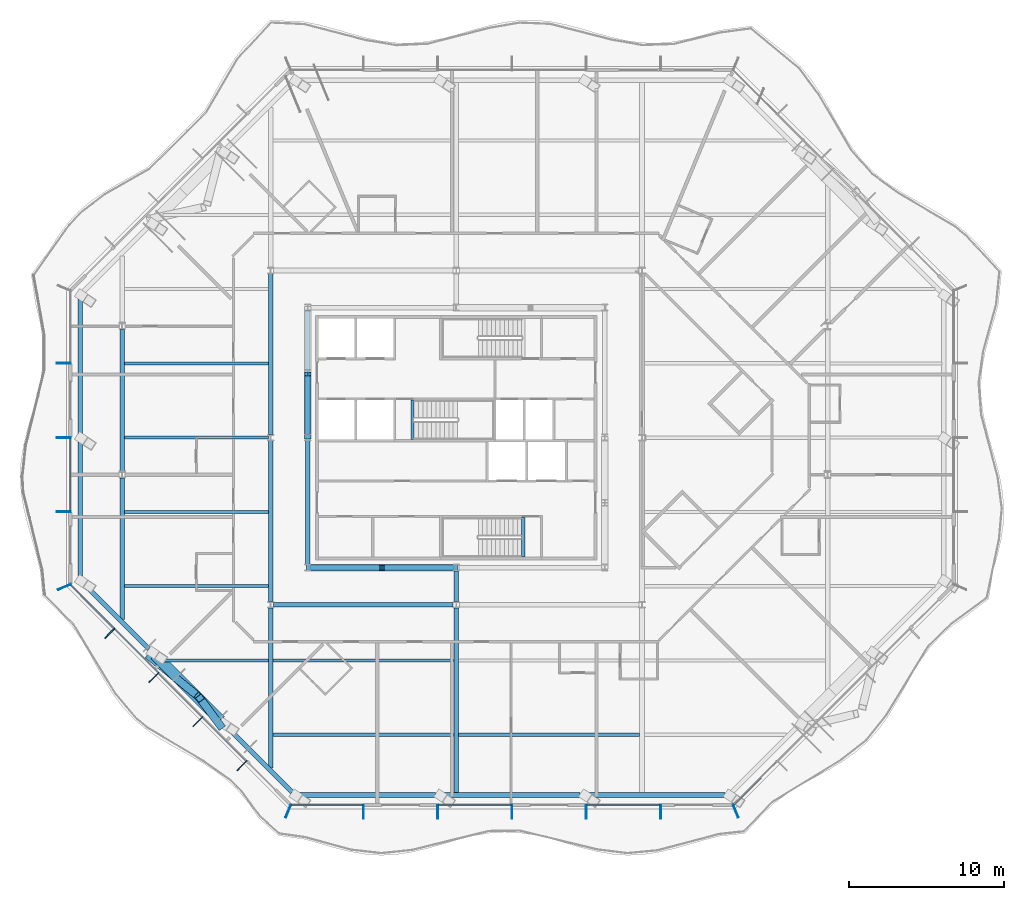
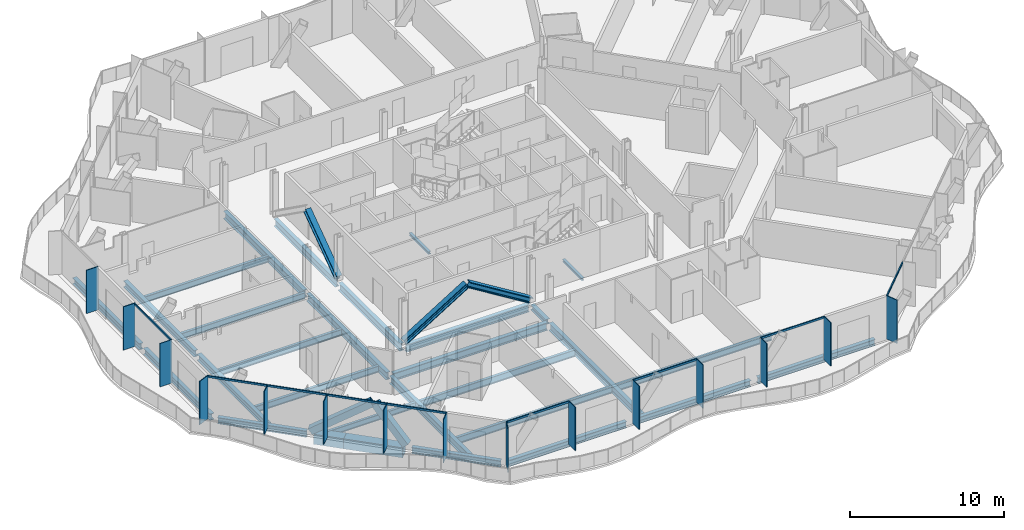
# One storey, part 3 of 19: 30 beams, 29 members, 4 elements without a shape of their own.
"""IFC4 building model written with IfcOpenShell, lengths in metres."""

from ifc_helpers import new_model, si_unit, direction, frame, origin, origin_2d, place, context, subcontext, project, spatial, rectangle, hollow_rectangle, i_section, extrude, material, material_profile, profile_set, type_object, element, aggregate, save


model = new_model("IFC4")

# Units and contexts
model_context = context("Model", 3, precision=1e-05, world=origin(), true_north=direction((0.0, 1.0)))
body_context = subcontext(model_context, "Body", "Model", "MODEL_VIEW")
ifc_project = project(units=[si_unit("LENGTHUNIT", "METRE"), si_unit("AREAUNIT", "SQUARE_METRE"), si_unit("VOLUMEUNIT", "CUBIC_METRE"), si_unit("PLANEANGLEUNIT", "RADIAN"), si_unit("MASSUNIT", "GRAM", prefix="KILO")], contexts=[model_context])

# Site, building, storey
site_placement = place(None, origin())
site = spatial("IfcSite", under=ifc_project, at=site_placement, CompositionType="ELEMENT")
building_placement = place(site_placement, origin())
building = spatial("IfcBuilding", under=site, at=building_placement, Name="Cairn Pilgrim Tower", CompositionType="ELEMENT")
storey_placement = place(building_placement, frame((0.0, 0.0, 186.60009765625)))
storey = spatial("IfcBuildingStorey", under=building, at=storey_placement, Name="L47", CompositionType="ELEMENT", Elevation=186.60009765625)

# Members
ifc_material_1 = material(Name="Structural steel S460M", Category="steel")
ifc_material_profile_1 = material_profile(ifc_material_1, hollow_rectangle(XDim=0.5, YDim=0.5, WallThickness=0.030029296875, at=origin_2d()), Name="BOX 500x500x30")
ifc_profile_set_1 = profile_set([ifc_material_profile_1], Name="Structural steel S460M")
member_type_1 = type_object("IfcMemberType", Name="BOX 500x500x30 BRACE", PredefinedType="BRACE", material=ifc_profile_set_1)
member_1_placement = place(storey_placement, frame((-12.656005859375, -11.716552734375, 0.14990234375), z_axis=(0.6457323247, -0.530399608095, 0.549277726265), x_axis=(0.634722722117, 0.772739973101, 0.0)))
element("IfcMember", 1, at=member_1_placement, inside=storey, type_object=member_type_1, Name="XB-SW2-SW3-1", PredefinedType="BRACE", context=body_context, shape_type="SweptSolid", body=[
    extrude(hollow_rectangle(XDim=0.5, YDim=0.5, WallThickness=0.030029296875, at=origin_2d()), origin(), (0.0, 0.0, 1.0), 4.849609375),
])
member_2_placement = place(storey_placement, frame((-8.03759765625, -16.227294921875, 0.123779296875), z_axis=(-0.3815361717, 0.510882317503, 0.7703436943), x_axis=(-0.801222044652, -0.598367140778, 0.0)))
element("IfcMember", 2, at=member_2_placement, inside=storey, type_object=member_type_1, Name="XB-SW2-SW3-2", PredefinedType="BRACE", context=body_context, shape_type="SweptSolid", body=[
    extrude(hollow_rectangle(XDim=0.5, YDim=0.5, WallThickness=0.030029296875, at=origin_2d()), origin(), (0.0, 0.0, 1.0), 3.491943359375),
])

# Beams
ifc_material_2 = material(Name="Structural steel S355J2", Category="steel")
ifc_material_profile_2 = material_profile(ifc_material_2, hollow_rectangle(XDim=0.699951171875, YDim=0.800048828125, WallThickness=0.0400390625, at=origin_2d()), Name="BOX 700x800x40")
ifc_profile_set_2 = profile_set([ifc_material_profile_2], Name="Structural steel S355J2")
beam_type_1 = type_object("IfcBeamType", Name="BOX 700x800x40 RING GIRDER", PredefinedType="SPANDREL", material=ifc_profile_set_2)
beam_1_placement = place(storey_placement, frame((-12.284912109375, -11.642333984375, -0.550048828125), z_axis=(0.707106781187, -0.707106781187, 0.0), x_axis=(0.707106781187, 0.707106781187, 0.0)))
element("IfcBeam", 3, at=beam_1_placement, inside=storey, type_object=beam_type_1, Name="RG2-SW2-SW3-1", PredefinedType="SPANDREL", context=body_context, shape_type="SweptSolid", body=[
    extrude(hollow_rectangle(XDim=0.699951171875, YDim=0.800048828125, WallThickness=0.0400390625, at=origin_2d()), origin(), (0.0, 0.0, 1.0), 2.01904296875),
])
beam_2_placement = place(storey_placement, frame((-10.857177734375, -13.070068359375, -0.550048828125), z_axis=(0.707106781187, -0.707106781187, 0.0), x_axis=(0.707106781187, 0.707106781187, 0.0)))
element("IfcBeam", 4, at=beam_2_placement, inside=storey, type_object=beam_type_1, Name="RG2-SW2-SW3-2", PredefinedType="SPANDREL", context=body_context, shape_type="SweptSolid", body=[
    extrude(hollow_rectangle(XDim=0.699951171875, YDim=0.800048828125, WallThickness=0.0400390625, at=origin_2d()), origin(), (0.0, 0.0, 1.0), 3.98046875),
])

# Curtain wall, members
ifc_material_3 = material(Name="Aluminium alloy 6063-T6 bronze anodised with Bronze tinted laminated low-E glass 8+16+8.8", Category="aluminium")
curtain_wall_type_1 = type_object("IfcCurtainWallType", Name="TOWER STICK CURTAIN WALL NS", PredefinedType="NOTDEFINED", material=ifc_material_3)
curtain_wall_1_placement = place(storey_placement, origin())
curtain_wall_1 = element("IfcCurtainWall", 5, at=curtain_wall_1_placement, inside=storey, type_object=curtain_wall_type_1, Name="Tower Stick Curtain Wall Ns S", PredefinedType="NOTDEFINED")
ifc_material_4 = material(Name="Aluminium alloy 6063-T6 bronze anodised", Category="aluminium")
ifc_material_profile_3 = material_profile(ifc_material_4, rectangle(XDim=0.89990234375, YDim=0.06005859375, at=origin_2d()), Name="FIN MULLION 60x900 BRONZE")
ifc_profile_set_3 = profile_set([ifc_material_profile_3], Name="Aluminium alloy 6063-T6 bronze anodised")
member_type_2 = type_object("IfcMemberType", Name="FIN MULLION 60x900 BRONZE", PredefinedType="MULLION", material=ifc_profile_set_3)
member_3_placement = place(storey_placement, frame((-3.6572265625, -21.738037109375, 0.0), z_axis=(0.0, 0.0, 1.0), x_axis=(-0.382683432365, -0.923879532511, 0.0)))
member_3 = element("IfcMember", 6, at=member_3_placement, type_object=member_type_2, Name="Fin mullion S1", PredefinedType="MULLION", context=body_context, shape_type="SweptSolid", body=[
    extrude(rectangle(XDim=0.89990234375, YDim=0.06005859375, at=origin_2d()), origin(), (0.0, 0.0, 1.0), 3.449951171875),
])
member_4_placement = place(storey_placement, frame((1.199951171875, -21.77001953125, 0.0), z_axis=(0.0, 0.0, 1.0), x_axis=(0.0, -1.0, 0.0)))
member_4 = element("IfcMember", 7, at=member_4_placement, type_object=member_type_2, Name="Fin mullion S2", PredefinedType="MULLION", context=body_context, shape_type="SweptSolid", body=[
    extrude(rectangle(XDim=0.89990234375, YDim=0.06005859375, at=origin_2d()), origin(), (0.0, 0.0, 1.0), 3.449951171875),
])
member_5_placement = place(storey_placement, frame((6.0, -21.77001953125, 0.0), z_axis=(0.0, 0.0, 1.0), x_axis=(0.0, -1.0, 0.0)))
member_5 = element("IfcMember", 8, at=member_5_placement, type_object=member_type_2, Name="Fin mullion S3", PredefinedType="MULLION", context=body_context, shape_type="SweptSolid", body=[
    extrude(rectangle(XDim=0.89990234375, YDim=0.06005859375, at=origin_2d()), origin(), (0.0, 0.0, 1.0), 3.449951171875),
])
member_6_placement = place(storey_placement, frame((10.800048828125, -21.77001953125, 0.0), z_axis=(0.0, 0.0, 1.0), x_axis=(0.0, -1.0, 0.0)))
member_6 = element("IfcMember", 9, at=member_6_placement, type_object=member_type_2, Name="Fin mullion S4", PredefinedType="MULLION", context=body_context, shape_type="SweptSolid", body=[
    extrude(rectangle(XDim=0.89990234375, YDim=0.06005859375, at=origin_2d()), origin(), (0.0, 0.0, 1.0), 3.449951171875),
])
member_7_placement = place(storey_placement, frame((15.60009765625, -21.77001953125, 0.0), z_axis=(0.0, 0.0, 1.0), x_axis=(0.0, -1.0, 0.0)))
member_7 = element("IfcMember", 10, at=member_7_placement, type_object=member_type_2, Name="Fin mullion S5", PredefinedType="MULLION", context=body_context, shape_type="SweptSolid", body=[
    extrude(rectangle(XDim=0.89990234375, YDim=0.06005859375, at=origin_2d()), origin(), (0.0, 0.0, 1.0), 3.449951171875),
])
member_8_placement = place(storey_placement, frame((20.39990234375, -21.77001953125, 0.0), z_axis=(0.0, 0.0, 1.0), x_axis=(0.0, -1.0, 0.0)))
member_8 = element("IfcMember", 11, at=member_8_placement, type_object=member_type_2, Name="Fin mullion S6", PredefinedType="MULLION", context=body_context, shape_type="SweptSolid", body=[
    extrude(rectangle(XDim=0.89990234375, YDim=0.06005859375, at=origin_2d()), origin(), (0.0, 0.0, 1.0), 3.449951171875),
])

# Curtain wall, member
curtain_wall_type_2 = type_object("IfcCurtainWallType", Name="CHAMFER CORNER CURTAIN WALL", PredefinedType="NOTDEFINED", material=ifc_material_3)
curtain_wall_2_placement = place(storey_placement, origin())
curtain_wall_2 = element("IfcCurtainWall", 12, at=curtain_wall_2_placement, inside=storey, type_object=curtain_wall_type_2, Name="Chamfer Corner Curtain Wall SE", PredefinedType="NOTDEFINED")
member_9_placement = place(storey_placement, frame((25.257080078125, -21.738037109375, 0.0), z_axis=(0.0, 0.0, 1.0), x_axis=(0.382683432365, -0.923879532511, 0.0)))
member_9 = element("IfcMember", 13, at=member_9_placement, type_object=member_type_2, Name="Fin mullion SE1", PredefinedType="MULLION", context=body_context, shape_type="SweptSolid", body=[
    extrude(rectangle(XDim=0.89990234375, YDim=0.06005859375, at=origin_2d()), origin(), (0.0, 0.0, 1.0), 3.449951171875),
])

# Curtain wall, members
curtain_wall_type_3 = type_object("IfcCurtainWallType", Name="TOWER STICK CURTAIN WALL EW", PredefinedType="NOTDEFINED", material=ifc_material_3)
curtain_wall_3_placement = place(storey_placement, origin())
curtain_wall_3 = element("IfcCurtainWall", 14, at=curtain_wall_3_placement, inside=storey, type_object=curtain_wall_type_3, Name="Tower Stick Curtain Wall Ew W", PredefinedType="NOTDEFINED")
member_10_placement = place(storey_placement, frame((-18.169921875, 7.199951171875, 0.0), z_axis=(0.0, 0.0, 1.0), x_axis=(-1.0, 0.0, 0.0)))
member_10 = element("IfcMember", 15, at=member_10_placement, type_object=member_type_2, Name="Fin mullion W2", PredefinedType="MULLION", context=body_context, shape_type="SweptSolid", body=[
    extrude(rectangle(XDim=0.89990234375, YDim=0.06005859375, at=origin_2d()), origin(), (0.0, 0.0, 1.0), 3.449951171875),
])
member_11_placement = place(storey_placement, frame((-18.169921875, 2.39990234375, 0.0), z_axis=(0.0, 0.0, 1.0), x_axis=(-1.0, 0.0, 0.0)))
member_11 = element("IfcMember", 16, at=member_11_placement, type_object=member_type_2, Name="Fin mullion W3", PredefinedType="MULLION", context=body_context, shape_type="SweptSolid", body=[
    extrude(rectangle(XDim=0.89990234375, YDim=0.06005859375, at=origin_2d()), origin(), (0.0, 0.0, 1.0), 3.449951171875),
])
member_12_placement = place(storey_placement, frame((-18.169921875, -2.39990234375, 0.0), z_axis=(0.0, 0.0, 1.0), x_axis=(-1.0, 0.0, 0.0)))
member_12 = element("IfcMember", 17, at=member_12_placement, type_object=member_type_2, Name="Fin mullion W4", PredefinedType="MULLION", context=body_context, shape_type="SweptSolid", body=[
    extrude(rectangle(XDim=0.89990234375, YDim=0.06005859375, at=origin_2d()), origin(), (0.0, 0.0, 1.0), 3.449951171875),
])

curtain_wall_4_placement = place(storey_placement, origin())
curtain_wall_4 = element("IfcCurtainWall", 18, at=curtain_wall_4_placement, inside=storey, type_object=curtain_wall_type_2, Name="Chamfer Corner Curtain Wall SW", PredefinedType="NOTDEFINED")
member_13_placement = place(storey_placement, frame((-18.137939453125, -7.257080078125, 0.0), z_axis=(0.0, 0.0, 1.0), x_axis=(-0.923879532511, -0.382683432365, 0.0)))
member_13 = element("IfcMember", 19, at=member_13_placement, type_object=member_type_2, Name="Fin mullion SW1", PredefinedType="MULLION", context=body_context, shape_type="SweptSolid", body=[
    extrude(rectangle(XDim=0.89990234375, YDim=0.06005859375, at=origin_2d()), origin(), (0.0, 0.0, 1.0), 3.449951171875),
])
member_14_placement = place(storey_placement, frame((-15.1962890625, -10.244140625, 0.0), z_axis=(0.0, 0.0, 1.0), x_axis=(-0.707106781187, -0.707106781187, 0.0)))
member_14 = element("IfcMember", 20, at=member_14_placement, type_object=member_type_2, Name="Fin mullion SW2", PredefinedType="MULLION", context=body_context, shape_type="SweptSolid", body=[
    extrude(rectangle(XDim=0.89990234375, YDim=0.06005859375, at=origin_2d()), origin(), (0.0, 0.0, 1.0), 3.449951171875),
])
member_15_placement = place(storey_placement, frame((-12.345458984375, -13.094970703125, 0.0), z_axis=(0.0, 0.0, 1.0), x_axis=(-0.707106781187, -0.707106781187, 0.0)))
member_15 = element("IfcMember", 21, at=member_15_placement, type_object=member_type_2, Name="Fin mullion SW3", PredefinedType="MULLION", context=body_context, shape_type="SweptSolid", body=[
    extrude(rectangle(XDim=0.89990234375, YDim=0.06005859375, at=origin_2d()), origin(), (0.0, 0.0, 1.0), 3.449951171875),
])
member_16_placement = place(storey_placement, frame((-9.494873046875, -15.945556640625, 0.0), z_axis=(0.0, 0.0, 1.0), x_axis=(-0.707106781187, -0.707106781187, 0.0)))
member_16 = element("IfcMember", 22, at=member_16_placement, type_object=member_type_2, Name="Fin mullion SW4", PredefinedType="MULLION", context=body_context, shape_type="SweptSolid", body=[
    extrude(rectangle(XDim=0.89990234375, YDim=0.06005859375, at=origin_2d()), origin(), (0.0, 0.0, 1.0), 3.449951171875),
])
member_17_placement = place(storey_placement, frame((-6.64404296875, -18.79638671875, 0.0), z_axis=(0.0, 0.0, 1.0), x_axis=(-0.707106781187, -0.707106781187, 0.0)))
member_17 = element("IfcMember", 23, at=member_17_placement, type_object=member_type_2, Name="Fin mullion SW5", PredefinedType="MULLION", context=body_context, shape_type="SweptSolid", body=[
    extrude(rectangle(XDim=0.89990234375, YDim=0.06005859375, at=origin_2d()), origin(), (0.0, 0.0, 1.0), 3.449951171875),
])

# Members
ifc_material_profile_4 = material_profile(ifc_material_1, i_section(OverallWidth=0.408935546875, OverallDepth=0.425048828125, WebThickness=0.03271484375, FlangeThickness=0.052490234375, FilletRadius=0.014892578125, at=origin_2d()), Name="HD 400x421")
ifc_profile_set_4 = profile_set([ifc_material_profile_4], Name="Structural steel S460M")
member_type_3 = type_object("IfcMemberType", Name="HD 400x421 BRACE", PredefinedType="BRACE", material=ifc_profile_set_4)
for number, where, z_axis, x_axis, name in (
    (24, (-2.3583984375, -6.0, 0.099853515625), (0.851099832195, 0.0, 0.525003881545), (0.0, 1.0, 0.0), "KB-1A"),
    (25, (7.158447265625, -6.0, 0.099853515625), (-0.85111200398, 0.0, 0.524984148981), (0.0, -1.0, 0.0), "KB-1B"),
):
    element("IfcMember", number, at=place(storey_placement, frame(where, z_axis=z_axis, x_axis=x_axis)), inside=storey, type_object=member_type_3, Name=name, PredefinedType="BRACE", context=body_context, shape_type="SweptSolid", body=[
        extrude(i_section(OverallWidth=0.408935546875, OverallDepth=0.425048828125, WebThickness=0.03271484375, FlangeThickness=0.052490234375, FilletRadius=0.014892578125, at=origin_2d()), origin(), (0.0, 0.0, 1.0), 5.5283203125),
    ])
member_18_placement = place(storey_placement, frame((-2.39990234375, 2.441650390625, 0.099853515625), z_axis=(0.0, 0.81433042856, 0.580401544727), x_axis=(-1.0, 0.0, 0.0)))
element("IfcMember", 26, at=member_18_placement, inside=storey, type_object=member_type_3, Name="KB-4B", PredefinedType="BRACE", context=body_context, shape_type="SweptSolid", body=[
    extrude(i_section(OverallWidth=0.408935546875, OverallDepth=0.425048828125, WebThickness=0.03271484375, FlangeThickness=0.052490234375, FilletRadius=0.014892578125, at=origin_2d()), origin(), (0.0, 0.0, 1.0), 4.998046875),
])

# Beams
ifc_material_profile_5 = material_profile(ifc_material_2, i_section(OverallWidth=0.300048828125, OverallDepth=0.39990234375, WebThickness=0.013427734375, FlangeThickness=0.02392578125, FilletRadius=0.027099609375, at=origin_2d()), Name="HEB 400")
ifc_profile_set_5 = profile_set([ifc_material_profile_5], Name="Structural steel S355J2")
beam_type_2 = type_object("IfcBeamType", Name="HEB 400 GIRDER", PredefinedType="BEAM", material=ifc_profile_set_5)
beam_3_placement = place(storey_placement, frame((7.199951171875, -8.200439453125, -0.35009765625), z_axis=(0.0, 1.0, 0.0), x_axis=(-1.0, 0.0, 0.0)))
element("IfcBeam", 27, at=beam_3_placement, inside=storey, type_object=beam_type_2, Name="PG3-E1", PredefinedType="BEAM", context=body_context, shape_type="SweptSolid", body=[
    extrude(i_section(OverallWidth=0.300048828125, OverallDepth=0.39990234375, WebThickness=0.013427734375, FlangeThickness=0.02392578125, FilletRadius=0.027099609375, at=origin_2d()), origin(), (0.0, 0.0, 1.0), 1.992431640625),
])
ifc_material_profile_6 = material_profile(ifc_material_2, i_section(OverallWidth=0.300048828125, OverallDepth=0.5, WebThickness=0.014404296875, FlangeThickness=0.028076171875, FilletRadius=0.027099609375, at=origin_2d()), Name="HEB 500")
ifc_profile_set_6 = profile_set([ifc_material_profile_6], Name="Structural steel S355J2")
beam_type_3 = type_object("IfcBeamType", Name="HEB 500 GIRDER", PredefinedType="BEAM", material=ifc_profile_set_6)
beam_4_placement = place(storey_placement, frame((-14.39990234375, -9.34521484375, -0.400146484375), z_axis=(0.0, 1.0, 0.0), x_axis=(-1.0, 0.0, 0.0)))
element("IfcBeam", 28, at=beam_4_placement, inside=storey, type_object=beam_type_3, Name="PG1-1", PredefinedType="BEAM", context=body_context, shape_type="SweptSolid", body=[
    extrude(i_section(OverallWidth=0.300048828125, OverallDepth=0.5, WebThickness=0.014404296875, FlangeThickness=0.028076171875, FilletRadius=0.027099609375, at=origin_2d()), origin(), (0.0, 0.0, 1.0), 9.145751953125),
])
beam_5_placement = place(storey_placement, frame((-14.39990234375, 0.199462890625, -0.400146484375), z_axis=(0.0, 1.0, 0.0), x_axis=(-1.0, 0.0, 0.0)))
element("IfcBeam", 29, at=beam_5_placement, inside=storey, type_object=beam_type_3, Name="PG1-2", PredefinedType="BEAM", context=body_context, shape_type="SweptSolid", body=[
    extrude(i_section(OverallWidth=0.300048828125, OverallDepth=0.5, WebThickness=0.014404296875, FlangeThickness=0.028076171875, FilletRadius=0.027099609375, at=origin_2d()), origin(), (0.0, 0.0, 1.0), 9.200927734375),
])
ifc_material_profile_7 = material_profile(ifc_material_2, i_section(OverallWidth=0.300048828125, OverallDepth=0.5, WebThickness=0.014404296875, FlangeThickness=0.028076171875, FilletRadius=0.027099609375, at=origin_2d()), Name="HEB 500")
ifc_profile_set_7 = profile_set([ifc_material_profile_7], Name="Structural steel S355J2")
beam_type_4 = type_object("IfcBeamType", Name="HEB 500 RING GIRDER", PredefinedType="SPANDREL", material=ifc_profile_set_7)
for number, where, z_axis, x_axis, name in (
    (30, (-2.957275390625, -20.699951171875, -0.400146484375), (1.0, 0.0, 0.0), (0.0, 1.0, 0.0), "RG2-S1-S2"),
    (31, (6.394287109375, -20.699951171875, -0.400146484375), (1.0, 0.0, 0.0), (0.0, 1.0, 0.0), "RG2-S2-S3"),
    (32, (15.74560546875, -20.699951171875, -0.400146484375), (1.0, 0.0, 0.0), (0.0, 1.0, 0.0), "RG2-S3-SE1"),
):
    element("IfcBeam", number, at=place(storey_placement, frame(where, z_axis=z_axis, x_axis=x_axis)), inside=storey, type_object=beam_type_4, Name=name, PredefinedType="SPANDREL", context=body_context, shape_type="SweptSolid", body=[
        extrude(i_section(OverallWidth=0.300048828125, OverallDepth=0.5, WebThickness=0.014404296875, FlangeThickness=0.028076171875, FilletRadius=0.027099609375, at=origin_2d()), origin(), (0.0, 0.0, 1.0), 8.8115234375),
    ])
beam_6_placement = place(storey_placement, frame((-17.10009765625, 11.357177734375, -0.400146484375), z_axis=(0.0, -1.0, 0.0), x_axis=(1.0, 0.0, 0.0)))
element("IfcBeam", 33, at=beam_6_placement, inside=storey, type_object=beam_type_4, Name="RG2-W1-W2", PredefinedType="SPANDREL", context=body_context, shape_type="SweptSolid", body=[
    extrude(i_section(OverallWidth=0.300048828125, OverallDepth=0.5, WebThickness=0.014404296875, FlangeThickness=0.028076171875, FilletRadius=0.027099609375, at=origin_2d()), origin(), (0.0, 0.0, 1.0), 8.687255859375),
])
beam_7_placement = place(storey_placement, frame((-17.10009765625, 2.1298828125, -0.400146484375), z_axis=(0.0, -1.0, 0.0), x_axis=(1.0, 0.0, 0.0)))
element("IfcBeam", 34, at=beam_7_placement, inside=storey, type_object=beam_type_4, Name="RG2-W2-SW1", PredefinedType="SPANDREL", context=body_context, shape_type="SweptSolid", body=[
    extrude(i_section(OverallWidth=0.300048828125, OverallDepth=0.5, WebThickness=0.014404296875, FlangeThickness=0.028076171875, FilletRadius=0.027099609375, at=origin_2d()), origin(), (0.0, 0.0, 1.0), 8.68701171875),
])
for number, where, z_axis, x_axis, name in (
    (35, (-16.9091796875, -7.01806640625, -0.400146484375), (0.707106781187, -0.707106781187, 0.0), (0.707106781187, 0.707106781187, 0.0), "RG2-SW1-SW2"),
    (36, (-7.66064453125, -16.2666015625, -0.400146484375), (0.707106781187, -0.707106781187, 0.0), (0.707106781187, 0.707106781187, 0.0), "RG2-SW3-S1"),
):
    element("IfcBeam", number, at=place(storey_placement, frame(where, z_axis=z_axis, x_axis=x_axis)), inside=storey, type_object=beam_type_4, Name=name, PredefinedType="SPANDREL", context=body_context, shape_type="SweptSolid", body=[
        extrude(i_section(OverallWidth=0.300048828125, OverallDepth=0.5, WebThickness=0.014404296875, FlangeThickness=0.028076171875, FilletRadius=0.027099609375, at=origin_2d()), origin(), (0.0, 0.0, 1.0), 5.999755859375),
    ])
ifc_material_profile_8 = material_profile(ifc_material_2, i_section(OverallWidth=0.300048828125, OverallDepth=0.60009765625, WebThickness=0.015380859375, FlangeThickness=0.030029296875, FilletRadius=0.027099609375, at=origin_2d()), Name="HEB 600")
ifc_profile_set_8 = profile_set([ifc_material_profile_8], Name="Structural steel S355J2")
beam_type_5 = type_object("IfcBeamType", Name="HEB 600 CORE BEAM", PredefinedType="BEAM", material=ifc_profile_set_8)
beam_8_placement = place(storey_placement, frame((-2.212890625, -6.0, -0.4501953125), z_axis=(1.0, 0.0, 0.0), x_axis=(0.0, 1.0, 0.0)))
element("IfcBeam", 37, at=beam_8_placement, inside=storey, type_object=beam_type_5, Name="CB-1", PredefinedType="BEAM", context=body_context, shape_type="SweptSolid", body=[
    extrude(i_section(OverallWidth=0.300048828125, OverallDepth=0.60009765625, WebThickness=0.015380859375, FlangeThickness=0.030029296875, FilletRadius=0.027099609375, at=origin_2d()), origin(), (0.0, 0.0, 1.0), 9.2255859375),
])
for number, where, z_axis, x_axis, name in (
    (38, (-2.39990234375, 10.61279296875, -0.4501953125), (0.0, -1.0, 0.0), (1.0, 0.0, 0.0), "CB-7"),
    (39, (-2.39990234375, 2.212890625, -0.4501953125), (0.0, -1.0, 0.0), (1.0, 0.0, 0.0), "CB-8"),
):
    element("IfcBeam", number, at=place(storey_placement, frame(where, z_axis=z_axis, x_axis=x_axis)), inside=storey, type_object=beam_type_5, Name=name, PredefinedType="BEAM", context=body_context, shape_type="SweptSolid", body=[
        extrude(i_section(OverallWidth=0.300048828125, OverallDepth=0.60009765625, WebThickness=0.015380859375, FlangeThickness=0.030029296875, FilletRadius=0.027099609375, at=origin_2d()), origin(), (0.0, 0.0, 1.0), 8.025634765625),
    ])
ifc_material_profile_9 = material_profile(ifc_material_2, i_section(OverallWidth=0.300048828125, OverallDepth=0.60009765625, WebThickness=0.015380859375, FlangeThickness=0.030029296875, FilletRadius=0.027099609375, at=origin_2d()), Name="HEB 600")
ifc_profile_set_9 = profile_set([ifc_material_profile_9], Name="Structural steel S355J2")
beam_type_6 = type_object("IfcBeamType", Name="HEB 600 GIRDER", PredefinedType="BEAM", material=ifc_profile_set_9)
beam_9_placement = place(storey_placement, frame((-4.800048828125, -18.945068359375, -0.4501953125), z_axis=(0.0, 1.0, 0.0), x_axis=(-1.0, 0.0, 0.0)))
element("IfcBeam", 40, at=beam_9_placement, inside=storey, type_object=beam_type_6, Name="PG2-1", PredefinedType="BEAM", context=body_context, shape_type="SweptSolid", body=[
    extrude(i_section(OverallWidth=0.300048828125, OverallDepth=0.60009765625, WebThickness=0.015380859375, FlangeThickness=0.030029296875, FilletRadius=0.027099609375, at=origin_2d()), origin(), (0.0, 0.0, 1.0), 10.345458984375),
])
for number, where, z_axis, x_axis, name in (
    (41, (-4.800048828125, -8.200439453125, -0.4501953125), (0.0, 1.0, 0.0), (-1.0, 0.0, 0.0), "PG2-2"),
    (42, (-4.800048828125, 2.599609375, -0.4501953125), (0.0, 1.0, 0.0), (-1.0, 0.0, 0.0), "PG2-3"),
):
    element("IfcBeam", number, at=place(storey_placement, frame(where, z_axis=z_axis, x_axis=x_axis)), inside=storey, type_object=beam_type_6, Name=name, PredefinedType="BEAM", context=body_context, shape_type="SweptSolid", body=[
        extrude(i_section(OverallWidth=0.300048828125, OverallDepth=0.60009765625, WebThickness=0.015380859375, FlangeThickness=0.030029296875, FilletRadius=0.027099609375, at=origin_2d()), origin(), (0.0, 0.0, 1.0), 10.40087890625),
    ])
beam_10_placement = place(storey_placement, frame((7.199951171875, -20.580078125, -0.4501953125), z_axis=(0.0, 1.0, 0.0), x_axis=(-1.0, 0.0, 0.0)))
element("IfcBeam", 43, at=beam_10_placement, inside=storey, type_object=beam_type_6, Name="PG3-1", PredefinedType="BEAM", context=body_context, shape_type="SweptSolid", body=[
    extrude(i_section(OverallWidth=0.300048828125, OverallDepth=0.60009765625, WebThickness=0.015380859375, FlangeThickness=0.030029296875, FilletRadius=0.027099609375, at=origin_2d()), origin(), (0.0, 0.0, 1.0), 11.98046875),
])
ifc_material_profile_10 = material_profile(ifc_material_2, i_section(OverallWidth=0.300048828125, OverallDepth=0.60009765625, WebThickness=0.015380859375, FlangeThickness=0.030029296875, FilletRadius=0.027099609375, at=origin_2d()), Name="HEB 600")
ifc_profile_set_10 = profile_set([ifc_material_profile_10], Name="Structural steel S355J2")
beam_type_7 = type_object("IfcBeamType", Name="HEB 600 INNER GIRDER", PredefinedType="BEAM", material=ifc_profile_set_10)
beam_11_placement = place(storey_placement, frame((-4.6005859375, -8.39990234375, -0.4501953125), z_axis=(1.0, 0.0, 0.0), x_axis=(0.0, 1.0, 0.0)))
element("IfcBeam", 44, at=beam_11_placement, inside=storey, type_object=beam_type_7, Name="IG1-1", PredefinedType="BEAM", context=body_context, shape_type="SweptSolid", body=[
    extrude(i_section(OverallWidth=0.300048828125, OverallDepth=0.60009765625, WebThickness=0.015380859375, FlangeThickness=0.030029296875, FilletRadius=0.027099609375, at=origin_2d()), origin(), (0.0, 0.0, 1.0), 11.60107421875),
])
ifc_material_profile_11 = material_profile(ifc_material_2, i_section(OverallWidth=0.18994140625, OverallDepth=0.449951171875, WebThickness=0.009521484375, FlangeThickness=0.0146484375, FilletRadius=0.02099609375, at=origin_2d()), Name="IPE 450")
ifc_profile_set_11 = profile_set([ifc_material_profile_11], Name="Structural steel S355J2")
beam_type_8 = type_object("IfcBeamType", Name="IPE 450 SECONDARY BEAM", PredefinedType="JOIST", material=ifc_profile_set_11)
beam_12_placement = place(storey_placement, frame((-11.7451171875, -12.0, -0.375), z_axis=(1.0, 0.0, 0.0), x_axis=(0.0, 1.0, 0.0)))
element("IfcBeam", 45, at=beam_12_placement, inside=storey, type_object=beam_type_8, Name="SB2-1", PredefinedType="JOIST", context=body_context, shape_type="SweptSolid", body=[
    extrude(i_section(OverallWidth=0.18994140625, OverallDepth=0.449951171875, WebThickness=0.009521484375, FlangeThickness=0.0146484375, FilletRadius=0.02099609375, at=origin_2d()), origin(), (0.0, 0.0, 1.0), 6.795166015625),
])
ifc_material_profile_12 = material_profile(ifc_material_2, i_section(OverallWidth=0.199951171875, OverallDepth=0.5, WebThickness=0.01025390625, FlangeThickness=0.01611328125, FilletRadius=0.02099609375, at=origin_2d()), Name="IPE 500")
ifc_profile_set_12 = profile_set([ifc_material_profile_12], Name="Structural steel S355J2")
beam_type_9 = type_object("IfcBeamType", Name="IPE 500 SECONDARY BEAM", PredefinedType="JOIST", material=ifc_profile_set_12)
for number, where, z_axis, x_axis, name in (
    (46, (-14.25, -7.199951171875, -0.400146484375), (1.0, 0.0, 0.0), (0.0, 1.0, 0.0), "SB3-1"),
    (47, (-14.25, -2.39990234375, -0.400146484375), (1.0, 0.0, 0.0), (0.0, 1.0, 0.0), "SB4-1"),
    (48, (-14.25, 2.39990234375, -0.400146484375), (1.0, 0.0, 0.0), (0.0, 1.0, 0.0), "SB5-1"),
    (49, (-14.25, 7.199951171875, -0.400146484375), (1.0, 0.0, 0.0), (0.0, 1.0, 0.0), "SB6-1"),
):
    element("IfcBeam", number, at=place(storey_placement, frame(where, z_axis=z_axis, x_axis=x_axis)), inside=storey, type_object=beam_type_9, Name=name, PredefinedType="JOIST", context=body_context, shape_type="SweptSolid", body=[
        extrude(i_section(OverallWidth=0.199951171875, OverallDepth=0.5, WebThickness=0.01025390625, FlangeThickness=0.01611328125, FilletRadius=0.02099609375, at=origin_2d()), origin(), (0.0, 0.0, 1.0), 9.300048828125),
    ])
ifc_material_profile_13 = material_profile(ifc_material_2, i_section(OverallWidth=0.2099609375, OverallDepth=0.550048828125, WebThickness=0.010986328125, FlangeThickness=0.01708984375, FilletRadius=0.02392578125, at=origin_2d()), Name="IPE 550")
ifc_profile_set_13 = profile_set([ifc_material_profile_13], Name="Structural steel S355J2")
beam_type_10 = type_object("IfcBeamType", Name="IPE 550 SECONDARY BEAM", PredefinedType="JOIST", material=ifc_profile_set_13)
for number, where, z_axis, x_axis, name in (
    (50, (-4.64990234375, -16.800048828125, -0.425048828125), (1.0, 0.0, 0.0), (0.0, 1.0, 0.0), "SB1-1"),
    (51, (7.35009765625, -16.800048828125, -0.425048828125), (1.0, 0.0, 0.0), (0.0, 1.0, 0.0), "SB1-2"),
    (52, (-4.64990234375, -12.0, -0.425048828125), (1.0, 0.0, 0.0), (0.0, 1.0, 0.0), "SB2-2"),
):
    element("IfcBeam", number, at=place(storey_placement, frame(where, z_axis=z_axis, x_axis=x_axis)), inside=storey, type_object=beam_type_10, Name=name, PredefinedType="JOIST", context=body_context, shape_type="SweptSolid", body=[
        extrude(i_section(OverallWidth=0.2099609375, OverallDepth=0.550048828125, WebThickness=0.010986328125, FlangeThickness=0.01708984375, FilletRadius=0.02392578125, at=origin_2d()), origin(), (0.0, 0.0, 1.0), 11.699951171875),
    ])
ifc_material_profile_14 = material_profile(ifc_material_2, i_section(OverallWidth=0.199951171875, OverallDepth=0.199951171875, WebThickness=0.009033203125, FlangeThickness=0.014892578125, FilletRadius=0.01806640625, at=origin_2d()), Name="HE 200 B")
ifc_profile_set_14 = profile_set([ifc_material_profile_14], Name="Structural steel S355J2")
beam_type_11 = type_object("IfcBeamType", Name="STAIR LANDING BEAM HE 200 B", PredefinedType="BEAM", material=ifc_profile_set_14)
beam_13_placement = place(storey_placement, frame((11.5244140625, -2.77490234375, -0.25), z_axis=(0.0, -1.0, 0.0), x_axis=(1.0, 0.0, 0.0)))
element("IfcBeam", 53, at=beam_13_placement, inside=storey, type_object=beam_type_11, Name="STAIR LANDING BEAM LD-HE200B", PredefinedType="BEAM", context=body_context, shape_type="SweptSolid", body=[
    extrude(i_section(OverallWidth=0.199951171875, OverallDepth=0.199951171875, WebThickness=0.009033203125, FlangeThickness=0.014892578125, FilletRadius=0.01806640625, at=origin_2d()), origin(), (0.0, 0.0, 1.0), 2.525146484375),
])
beam_14_placement = place(storey_placement, frame((4.37548828125, 2.27490234375, -0.25), z_axis=(0.0, 1.0, 0.0), x_axis=(-1.0, 0.0, 0.0)))
element("IfcBeam", 54, at=beam_14_placement, inside=storey, type_object=beam_type_11, Name="STAIR LANDING BEAM LD-HE200B", PredefinedType="BEAM", context=body_context, shape_type="SweptSolid", body=[
    extrude(i_section(OverallWidth=0.199951171875, OverallDepth=0.199951171875, WebThickness=0.009033203125, FlangeThickness=0.014892578125, FilletRadius=0.01806640625, at=origin_2d()), origin(), (0.0, 0.0, 1.0), 2.550048828125),
])

# Member
ifc_material_profile_15 = material_profile(ifc_material_4, rectangle(XDim=0.080078125, YDim=0.14990234375, at=origin_2d()), Name="TRANSOM 80x150 BRONZE")
ifc_profile_set_15 = profile_set([ifc_material_profile_15], Name="Aluminium alloy 6063-T6 bronze anodised")
member_type_4 = type_object("IfcMemberType", Name="TRANSOM 80x150 BRONZE", PredefinedType="USERDEFINED", material=ifc_profile_set_15)
member_19_placement = place(storey_placement, frame((-3.45654296875, -21.35009765625, 3.375), z_axis=(1.0, 0.0, 0.0), x_axis=(0.0, 1.0, 0.0)))
member_19 = element("IfcMember", 55, at=member_19_placement, type_object=member_type_4, Name="Transom S1", ObjectType="TRANSOM", PredefinedType="USERDEFINED", context=body_context, shape_type="SweptSolid", body=[
    extrude(rectangle(XDim=0.080078125, YDim=0.14990234375, at=origin_2d()), origin(), (0.0, 0.0, 1.0), 4.62646484375),
])

member_20_placement = place(storey_placement, frame((6.030029296875, -21.35009765625, 3.375), z_axis=(1.0, 0.0, 0.0), x_axis=(0.0, 1.0, 0.0)))
member_20 = element("IfcMember", 56, at=member_20_placement, type_object=member_type_4, Name="Transom S3", ObjectType="TRANSOM", PredefinedType="USERDEFINED", context=body_context, shape_type="SweptSolid", body=[
    extrude(rectangle(XDim=0.080078125, YDim=0.14990234375, at=origin_2d()), origin(), (0.0, 0.0, 1.0), 4.739990234375),
])

member_21_placement = place(storey_placement, frame((15.6298828125, -21.35009765625, 3.375), z_axis=(1.0, 0.0, 0.0), x_axis=(0.0, 1.0, 0.0)))
member_21 = element("IfcMember", 57, at=member_21_placement, type_object=member_type_4, Name="Transom S5", ObjectType="TRANSOM", PredefinedType="USERDEFINED", context=body_context, shape_type="SweptSolid", body=[
    extrude(rectangle(XDim=0.080078125, YDim=0.14990234375, at=origin_2d()), origin(), (0.0, 0.0, 1.0), 4.740234375),
])

aggregate(curtain_wall_1, [member_3, member_4, member_5, member_6, member_7, member_8, member_19, member_20, member_21])

member_22_placement = place(storey_placement, frame((25.124755859375, -21.32177734375, 3.375), z_axis=(0.707106781187, 0.707106781187, 0.0), x_axis=(-0.707106781187, 0.707106781187, 0.0)))
member_22 = element("IfcMember", 58, at=member_22_placement, type_object=member_type_4, Name="Transom SE1", ObjectType="TRANSOM", PredefinedType="USERDEFINED", context=body_context, shape_type="SweptSolid", body=[
    extrude(rectangle(XDim=0.080078125, YDim=0.14990234375, at=origin_2d()), origin(), (0.0, 0.0, 1.0), 3.961669921875),
])

aggregate(curtain_wall_2, [member_9, member_22])

member_23_placement = place(storey_placement, frame((-17.75, 2.3701171875, 3.375), z_axis=(0.0, -1.0, 0.0), x_axis=(1.0, 0.0, 0.0)))
member_23 = element("IfcMember", 59, at=member_23_placement, type_object=member_type_4, Name="Transom W3", ObjectType="TRANSOM", PredefinedType="USERDEFINED", context=body_context, shape_type="SweptSolid", body=[
    extrude(rectangle(XDim=0.080078125, YDim=0.14990234375, at=origin_2d()), origin(), (0.0, 0.0, 1.0), 4.740234375),
])

aggregate(curtain_wall_3, [member_10, member_11, member_12, member_23])

member_24_placement = place(storey_placement, frame((-17.7216796875, -7.124755859375, 3.375), z_axis=(0.707106781187, -0.707106781187, 0.0), x_axis=(0.707106781187, 0.707106781187, 0.0)))
member_24 = element("IfcMember", 60, at=member_24_placement, type_object=member_type_4, Name="Transom SW1", ObjectType="TRANSOM", PredefinedType="USERDEFINED", context=body_context, shape_type="SweptSolid", body=[
    extrude(rectangle(XDim=0.080078125, YDim=0.14990234375, at=origin_2d()), origin(), (0.0, 0.0, 1.0), 3.961669921875),
])

member_25_placement = place(storey_placement, frame((-14.878173828125, -9.96826171875, 3.375), z_axis=(0.707106781187, -0.707106781187, 0.0), x_axis=(0.707106781187, 0.707106781187, 0.0)))
member_25 = element("IfcMember", 61, at=member_25_placement, type_object=member_type_4, Name="Transom SW2", ObjectType="TRANSOM", PredefinedType="USERDEFINED", context=body_context, shape_type="SweptSolid", body=[
    extrude(rectangle(XDim=0.080078125, YDim=0.14990234375, at=origin_2d()), origin(), (0.0, 0.0, 1.0), 3.9716796875),
])

member_26_placement = place(storey_placement, frame((-12.02734375, -12.819091796875, 3.375), z_axis=(0.707106781187, -0.707106781187, 0.0), x_axis=(0.707106781187, 0.707106781187, 0.0)))
member_26 = element("IfcMember", 62, at=member_26_placement, type_object=member_type_4, Name="Transom SW3", ObjectType="TRANSOM", PredefinedType="USERDEFINED", context=body_context, shape_type="SweptSolid", body=[
    extrude(rectangle(XDim=0.080078125, YDim=0.14990234375, at=origin_2d()), origin(), (0.0, 0.0, 1.0), 3.9716796875),
])

member_27_placement = place(storey_placement, frame((-9.1767578125, -15.669677734375, 3.375), z_axis=(0.707106781187, -0.707106781187, 0.0), x_axis=(0.707106781187, 0.707106781187, 0.0)))
member_27 = element("IfcMember", 63, at=member_27_placement, type_object=member_type_4, Name="Transom SW4", ObjectType="TRANSOM", PredefinedType="USERDEFINED", context=body_context, shape_type="SweptSolid", body=[
    extrude(rectangle(XDim=0.080078125, YDim=0.14990234375, at=origin_2d()), origin(), (0.0, 0.0, 1.0), 3.9716796875),
])

aggregate(curtain_wall_4, [member_13, member_14, member_15, member_16, member_17, member_24, member_25, member_26, member_27])

save(model, "model.ifc")
